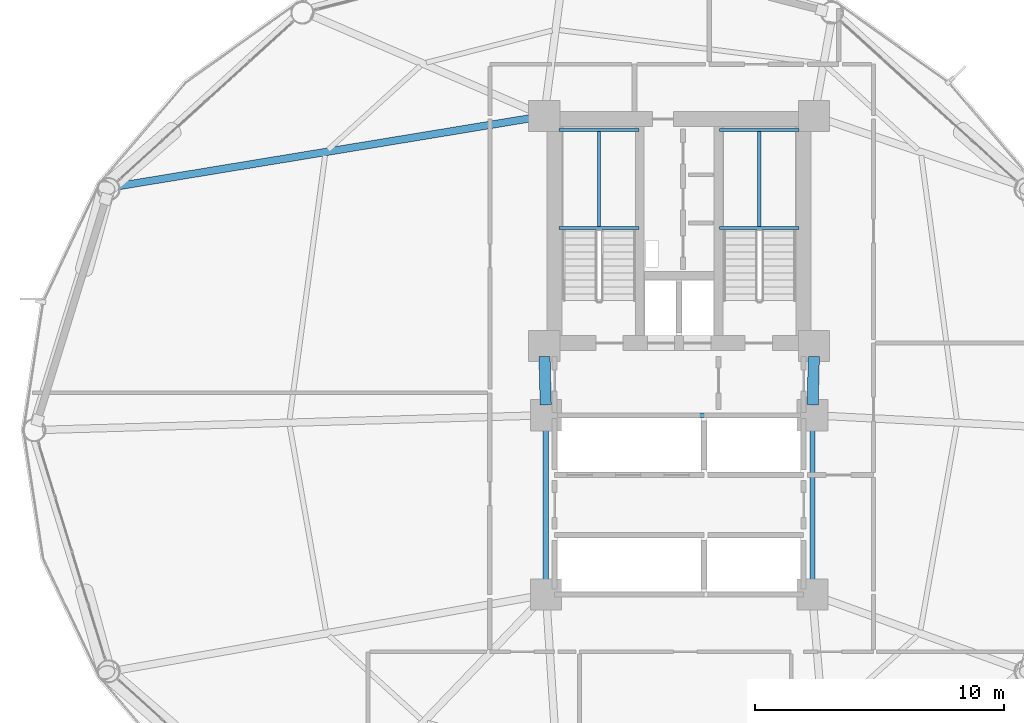
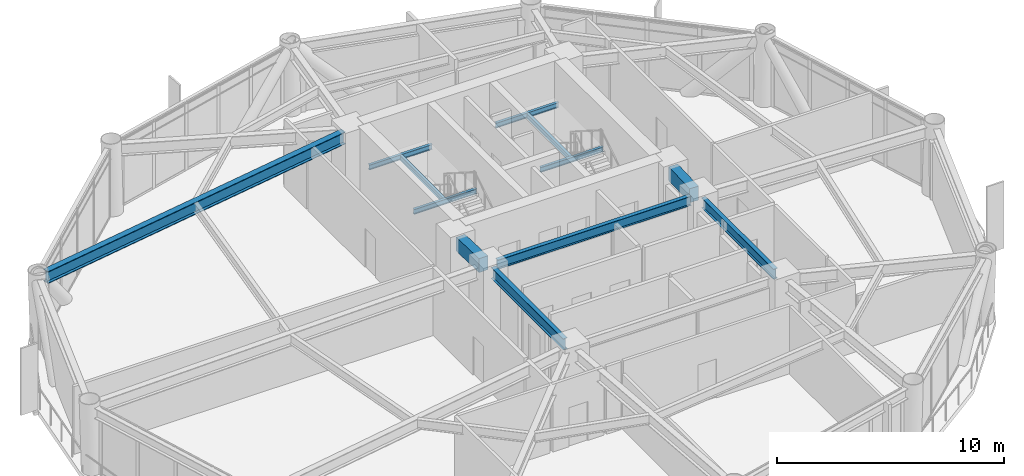
# One storey, part 11 of 25: 12 beams.
"""IFC4 building model written with IfcOpenShell, lengths in metres."""

from ifc_helpers import new_model, si_unit, direction, frame, origin, origin_2d, place, context, subcontext, project, spatial, rectangle, i_section, extrude, material, material_profile, profile_set, type_object, element, save


model = new_model("IFC4")

# Units and contexts
model_context = context("Model", 3, precision=1e-05, world=origin(), true_north=direction((0.0, 1.0)))
body_context = subcontext(model_context, "Body", "Model", "MODEL_VIEW")
ifc_project = project(units=[si_unit("LENGTHUNIT", "METRE"), si_unit("AREAUNIT", "SQUARE_METRE"), si_unit("VOLUMEUNIT", "CUBIC_METRE"), si_unit("PLANEANGLEUNIT", "RADIAN"), si_unit("MASSUNIT", "GRAM", prefix="KILO")], contexts=[model_context])

# Site, building, storey
site_placement = place(None, origin())
site = spatial("IfcSite", under=ifc_project, at=site_placement, CompositionType="ELEMENT")
building_placement = place(site_placement, origin())
building = spatial("IfcBuilding", under=site, at=building_placement, Name="Varnakorn Sky Granary", CompositionType="ELEMENT")
storey_placement = place(building_placement, frame((0.0, 0.0, 58.800048828125)))
storey = spatial("IfcBuildingStorey", under=building, at=storey_placement, Name="L14", CompositionType="ELEMENT", Elevation=58.800048828125)

# Beams
ifc_material_1 = material(Name="Steel S355JR", Category="steel")
ifc_material_profile_1 = material_profile(ifc_material_1, i_section(OverallWidth=0.2099609375, OverallDepth=0.550048828125, WebThickness=0.010986328125, FlangeThickness=0.01708984375, at=origin_2d()), Name="IPE 550")
ifc_profile_set_1 = profile_set([ifc_material_profile_1], Name="Steel S355JR")
beam_type_1 = type_object("IfcBeamType", Name="BM-JST-550", PredefinedType="JOIST", material=ifc_profile_set_1)
beam_1_placement = place(storey_placement, frame((8.35009765625, 0.179931640625, 3.364990234375), z_axis=(0.0, -1.0, 0.0), x_axis=(1.0, 0.0, 0.0)))
element("IfcBeam", 1, at=beam_1_placement, inside=storey, type_object=beam_type_1, Name="Core Spine Framing Beam 4 L14", PredefinedType="JOIST", context=body_context, shape_type="SweptSolid", body=[
    extrude(i_section(OverallWidth=0.2099609375, OverallDepth=0.550048828125, WebThickness=0.010986328125, FlangeThickness=0.01708984375, at=origin_2d()), origin(), (0.0, 0.0, 1.0), 6.35986328125),
])
ifc_material_profile_2 = material_profile(ifc_material_1, i_section(OverallWidth=0.219970703125, OverallDepth=0.60009765625, WebThickness=0.011962890625, FlangeThickness=0.01904296875, at=origin_2d()), Name="IPE 600")
ifc_profile_set_2 = profile_set([ifc_material_profile_2], Name="Steel S355JR")
beam_type_2 = type_object("IfcBeamType", Name="BM-JST-600", PredefinedType="JOIST", material=ifc_profile_set_2)
beam_2_placement = place(storey_placement, frame((-2.35009765625, 0.179931640625, 3.33984375), z_axis=(0.0, -1.0, 0.0), x_axis=(1.0, 0.0, 0.0)))
element("IfcBeam", 2, at=beam_2_placement, inside=storey, type_object=beam_type_2, Name="Core Spine Framing Beam 3 L14", PredefinedType="JOIST", context=body_context, shape_type="SweptSolid", body=[
    extrude(i_section(OverallWidth=0.219970703125, OverallDepth=0.60009765625, WebThickness=0.011962890625, FlangeThickness=0.01904296875, at=origin_2d()), origin(), (0.0, 0.0, 1.0), 6.35986328125),
])
ifc_material_2 = material(Name="Concrete C60/75", Category="concrete")
ifc_material_profile_3 = material_profile(ifc_material_2, rectangle(XDim=0.449951171875, YDim=0.75, at=origin_2d()), Name="RC 450x750")
ifc_profile_set_3 = profile_set([ifc_material_profile_3], Name="Concrete C60/75")
beam_type_3 = type_object("IfcBeamType", Name="BM-LIN-750", PredefinedType="LINTEL", material=ifc_profile_set_3)
for number, where, z_axis, x_axis, name in (
    (3, (-2.409423828125, 2.960205078125, 3.264892578125), (0.025158763514, -0.999683468213, 0.0), (0.999683468213, 0.025158763514, 0.0), "Core Spine Framing Beam 1 L14"),
    (4, (8.409423828125, 2.960205078125, 3.264892578125), (-0.025158763514, -0.999683468213, 0.0), (0.999683468213, -0.025158763514, 0.0), "Core Spine Framing Beam 2 L14"),
):
    element("IfcBeam", number, at=place(storey_placement, frame(where, z_axis=z_axis, x_axis=x_axis)), inside=storey, type_object=beam_type_3, Name=name, PredefinedType="LINTEL", context=body_context, shape_type="SweptSolid", body=[
        extrude(rectangle(XDim=0.449951171875, YDim=0.75, at=origin_2d()), origin(), (0.0, 0.0, 1.0), 1.94091796875),
    ])
ifc_material_profile_4 = material_profile(ifc_material_1, i_section(OverallWidth=0.135009765625, OverallDepth=0.27001953125, WebThickness=0.006591796875, FlangeThickness=0.01025390625, at=origin_2d()), Name="IPE 270")
ifc_profile_set_4 = profile_set([ifc_material_profile_4], Name="Steel S355JR")
beam_type_4 = type_object("IfcBeamType", Name="BM-LND-270", PredefinedType="BEAM", material=ifc_profile_set_4)
for number, where, z_axis, x_axis, name in (
    (5, (-1.820068359375, 8.1201171875, 1.614990234375), (1.0, 0.0, 0.0), (0.0, 1.0, 0.0), "Stair ST-1 Landing Trimmer Beam A L14-1"),
    (6, (-1.820068359375, 12.06005859375, 1.614990234375), (1.0, 0.0, 0.0), (0.0, 1.0, 0.0), "Stair ST-1 Landing Trimmer Beam B L14-1"),
):
    element("IfcBeam", number, at=place(storey_placement, frame(where, z_axis=z_axis, x_axis=x_axis)), inside=storey, type_object=beam_type_4, Name=name, PredefinedType="BEAM", context=body_context, shape_type="SweptSolid", body=[
        extrude(i_section(OverallWidth=0.135009765625, OverallDepth=0.27001953125, WebThickness=0.006591796875, FlangeThickness=0.01025390625, at=origin_2d()), origin(), (0.0, 0.0, 1.0), 3.199951171875),
    ])
beam_3_placement = place(storey_placement, frame((-0.219970703125, 8.1201171875, 1.614990234375), z_axis=(0.0, 1.0, 0.0), x_axis=(-1.0, 0.0, 0.0)))
element("IfcBeam", 7, at=beam_3_placement, inside=storey, type_object=beam_type_4, Name="Stair ST-1 Landing Cross Beam C L14-1", PredefinedType="BEAM", context=body_context, shape_type="SweptSolid", body=[
    extrude(i_section(OverallWidth=0.135009765625, OverallDepth=0.27001953125, WebThickness=0.006591796875, FlangeThickness=0.01025390625, at=origin_2d()), origin(), (0.0, 0.0, 1.0), 3.93994140625),
])
for number, where, z_axis, x_axis, name in (
    (8, (4.6201171875, 8.1201171875, 1.614990234375), (1.0, 0.0, 0.0), (0.0, 1.0, 0.0), "Stair ST-2 Landing Trimmer Beam A L14-1"),
    (9, (4.6201171875, 12.06005859375, 1.614990234375), (1.0, 0.0, 0.0), (0.0, 1.0, 0.0), "Stair ST-2 Landing Trimmer Beam B L14-1"),
):
    element("IfcBeam", number, at=place(storey_placement, frame(where, z_axis=z_axis, x_axis=x_axis)), inside=storey, type_object=beam_type_4, Name=name, PredefinedType="BEAM", context=body_context, shape_type="SweptSolid", body=[
        extrude(i_section(OverallWidth=0.135009765625, OverallDepth=0.27001953125, WebThickness=0.006591796875, FlangeThickness=0.01025390625, at=origin_2d()), origin(), (0.0, 0.0, 1.0), 3.199951171875),
    ])
beam_4_placement = place(storey_placement, frame((6.219970703125, 8.1201171875, 1.614990234375), z_axis=(0.0, 1.0, 0.0), x_axis=(-1.0, 0.0, 0.0)))
element("IfcBeam", 10, at=beam_4_placement, inside=storey, type_object=beam_type_4, Name="Stair ST-2 Landing Cross Beam C L14-1", PredefinedType="BEAM", context=body_context, shape_type="SweptSolid", body=[
    extrude(i_section(OverallWidth=0.135009765625, OverallDepth=0.27001953125, WebThickness=0.006591796875, FlangeThickness=0.01025390625, at=origin_2d()), origin(), (0.0, 0.0, 1.0), 3.93994140625),
])
ifc_material_profile_5 = material_profile(ifc_material_1, i_section(OverallWidth=0.300048828125, OverallDepth=0.64990234375, WebThickness=0.01611328125, FlangeThickness=0.031005859375, at=origin_2d()), Name="HE 650 B")
ifc_profile_set_5 = profile_set([ifc_material_profile_5], Name="Steel S355JR")
beam_type_5 = type_object("IfcBeamType", Name="BM-RAD-Z1", PredefinedType="BEAM", material=ifc_profile_set_5)
beam_5_placement = place(storey_placement, frame((-2.83447265625, 12.5517578125, 3.31494140625), z_axis=(-0.986714118697, -0.162466144055, 0.0), x_axis=(0.162466144055, -0.986714118697, 0.0)))
element("IfcBeam", 11, at=beam_5_placement, inside=storey, type_object=beam_type_5, Name="Radial Floor Girder RG06 L14", PredefinedType="BEAM", context=body_context, shape_type="SweptSolid", body=[
    extrude(i_section(OverallWidth=0.300048828125, OverallDepth=0.64990234375, WebThickness=0.01611328125, FlangeThickness=0.031005859375, at=origin_2d()), origin(), (0.0, 0.0, 1.0), 16.962646484375),
])
ifc_material_profile_6 = material_profile(ifc_material_1, i_section(OverallWidth=0.199951171875, OverallDepth=0.5, WebThickness=0.01025390625, FlangeThickness=0.01611328125, at=origin_2d()), Name="IPE 500")
ifc_profile_set_6 = profile_set([ifc_material_profile_6], Name="Steel S355JR")
beam_type_6 = type_object("IfcBeamType", Name="BM-SEC-Z1", PredefinedType="BEAM", material=ifc_profile_set_6)
beam_6_placement = place(storey_placement, frame((-1.929931640625, 0.60009765625, 3.389892578125), z_axis=(1.0, 0.0, 0.0), x_axis=(0.0, 1.0, 0.0)))
element("IfcBeam", 12, at=beam_6_placement, inside=storey, type_object=beam_type_6, Name="Core Spine Framing Beam 5 L14", PredefinedType="BEAM", context=body_context, shape_type="SweptSolid", body=[
    extrude(i_section(OverallWidth=0.199951171875, OverallDepth=0.5, WebThickness=0.01025390625, FlangeThickness=0.01611328125, at=origin_2d()), origin(), (0.0, 0.0, 1.0), 9.85986328125),
])

save(model, "model.ifc")
